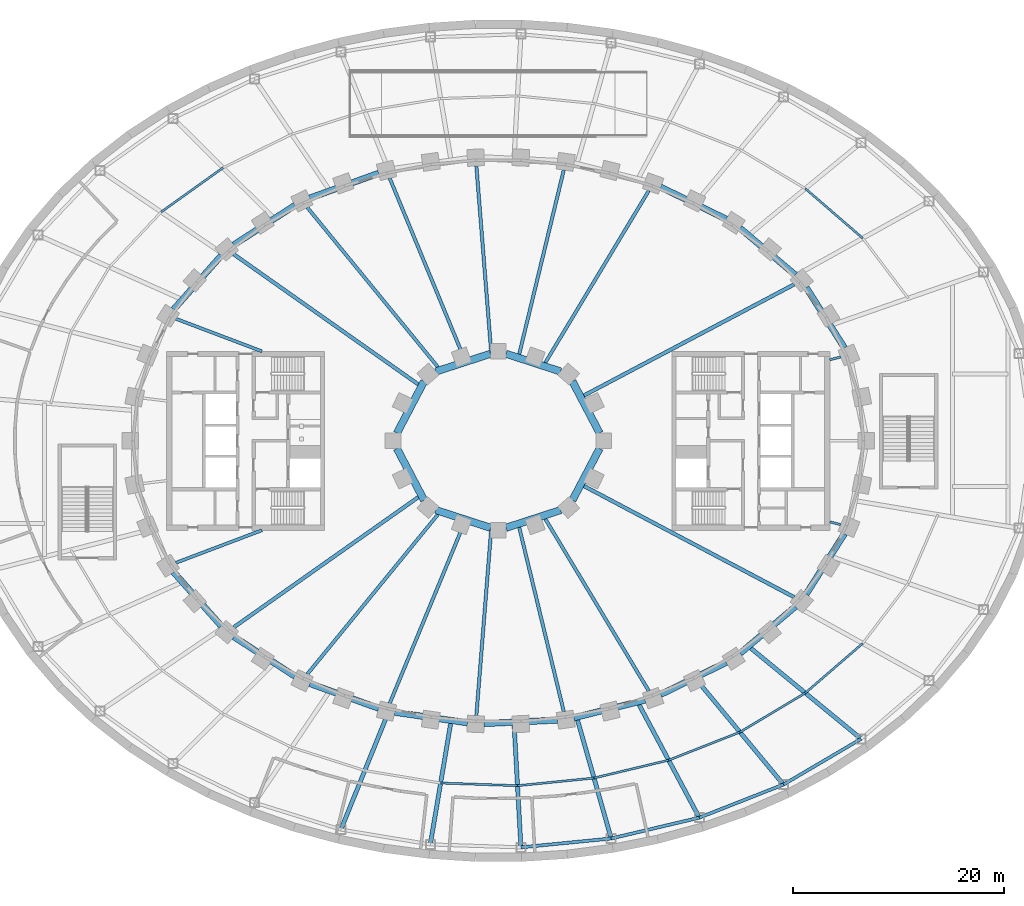
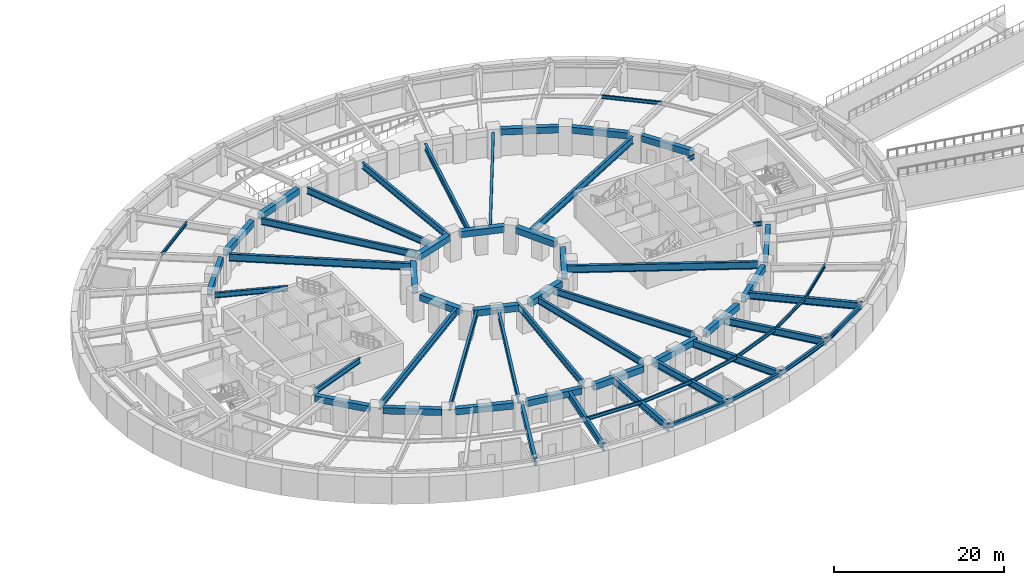
# One storey, part 8 of 32: 60 beams.
"""IFC4 building model written with IfcOpenShell, lengths in metres."""

from ifc_helpers import new_model, si_unit, direction, frame, origin, origin_2d, place, context, subcontext, project, spatial, rectangle, i_section, extrude, material, material_profile, profile_set, type_object, element, save


model = new_model("IFC4")

# Units and contexts
model_context = context("Model", 3, precision=1e-05, world=origin(), true_north=direction((0.0, 1.0)))
body_context = subcontext(model_context, "Body", "Model", "MODEL_VIEW")
ifc_project = project(units=[si_unit("LENGTHUNIT", "METRE"), si_unit("AREAUNIT", "SQUARE_METRE"), si_unit("VOLUMEUNIT", "CUBIC_METRE"), si_unit("PLANEANGLEUNIT", "RADIAN"), si_unit("MASSUNIT", "GRAM", prefix="KILO")], contexts=[model_context])

# Site, building, storey
site_placement = place(None, origin())
site = spatial("IfcSite", under=ifc_project, at=site_placement, CompositionType="ELEMENT")
building_placement = place(site_placement, origin())
building = spatial("IfcBuilding", under=site, at=building_placement, Name="Noorbagh Ring Tower", CompositionType="ELEMENT")
storey_placement = place(building_placement, frame((0.0, 0.0, -4.199951171875)))
storey = spatial("IfcBuildingStorey", under=building, at=storey_placement, Name="B1", CompositionType="ELEMENT", Elevation=-4.199951171875)

# Beams
ifc_material_1 = material(Name="Steel S355", Category="steel")
ifc_material_profile_1 = material_profile(ifc_material_1, i_section(OverallWidth=0.300048828125, OverallDepth=0.60009765625, WebThickness=0.015380859375, FlangeThickness=0.030029296875, FilletRadius=0.027099609375, at=origin_2d()), Name="HEB600")
ifc_profile_set_1 = profile_set([ifc_material_profile_1], Name="Steel S355")
beam_type_1 = type_object("IfcBeamType", Name="GND-EDGE-BEAM-HEB600", PredefinedType="BEAM", material=ifc_profile_set_1)
beam_1_placement = place(storey_placement, frame((2.154541015625, -38.6142578125, 3.550048828125), z_axis=(0.9951967317, 0.097895174616, 0.0), x_axis=(-0.097895174616, 0.9951967317, 0.0)))
element("IfcBeam", 1, at=beam_1_placement, inside=storey, type_object=beam_type_1, Name="B1/bm/ERP-26", PredefinedType="BEAM", context=body_context, shape_type="SweptSolid", body=[
    extrude(i_section(OverallWidth=0.300048828125, OverallDepth=0.60009765625, WebThickness=0.015380859375, FlangeThickness=0.030029296875, FilletRadius=0.027099609375, at=origin_2d()), origin(), (0.0, 0.0, 1.0), 8.611328125),
])
beam_2_placement = place(storey_placement, frame((10.724609375, -37.771240234375, 3.550048828125), z_axis=(0.973167977411, 0.230095822957, 0.0), x_axis=(-0.230095822957, 0.973167977411, 0.0)))
element("IfcBeam", 2, at=beam_2_placement, inside=storey, type_object=beam_type_1, Name="B1/bm/ERP-27", PredefinedType="BEAM", context=body_context, shape_type="SweptSolid", body=[
    extrude(i_section(OverallWidth=0.300048828125, OverallDepth=0.60009765625, WebThickness=0.015380859375, FlangeThickness=0.030029296875, FilletRadius=0.027099609375, at=origin_2d()), origin(), (0.0, 0.0, 1.0), 8.602783203125),
])
beam_3_placement = place(storey_placement, frame((19.0966796875, -35.791748046875, 3.550048828125), z_axis=(0.930571668723, 0.366109777758, 0.0), x_axis=(-0.366109777758, 0.930571668723, 0.0)))
element("IfcBeam", 3, at=beam_3_placement, inside=storey, type_object=beam_type_1, Name="B1/bm/ERP-28", PredefinedType="BEAM", context=body_context, shape_type="SweptSolid", body=[
    extrude(i_section(OverallWidth=0.300048828125, OverallDepth=0.60009765625, WebThickness=0.015380859375, FlangeThickness=0.030029296875, FilletRadius=0.027099609375, at=origin_2d()), origin(), (0.0, 0.0, 1.0), 8.58642578125),
])
beam_4_placement = place(storey_placement, frame((27.0869140625, -32.648193359375, 3.550048828125), z_axis=(0.8618652907, 0.507137279922, 0.0), x_axis=(-0.507137279922, 0.8618652907, 0.0)))
element("IfcBeam", 4, at=beam_4_placement, inside=storey, type_object=beam_type_1, Name="B1/bm/ERP-29", PredefinedType="BEAM", context=body_context, shape_type="SweptSolid", body=[
    extrude(i_section(OverallWidth=0.300048828125, OverallDepth=0.60009765625, WebThickness=0.015380859375, FlangeThickness=0.030029296875, FilletRadius=0.027099609375, at=origin_2d()), origin(), (0.0, 0.0, 1.0), 8.560302734375),
])
ifc_material_2 = material(Name="Steel S355", Category="steel")
ifc_material_profile_2 = material_profile(ifc_material_2, i_section(OverallWidth=0.39990234375, OverallDepth=1.0, WebThickness=0.01611328125, FlangeThickness=0.0400390625, at=origin_2d()), Name="PG1000x400x16x40")
ifc_profile_set_2 = profile_set([ifc_material_profile_2], Name="Steel S355")
beam_type_2 = type_object("IfcBeamType", Name="GND-GIRDER-PG1000x400x16x40", PredefinedType="BEAM", material=ifc_profile_set_2)
beam_5_placement = place(storey_placement, frame((-14.946044921875, -36.925048828125, 3.349853515625), z_axis=(0.375201842514, 0.926943135998, 0.0), x_axis=(-0.926943135998, 0.375201842514, 0.0)))
element("IfcBeam", 5, at=beam_5_placement, inside=storey, type_object=beam_type_2, Name="B1/bm/GRP-24", PredefinedType="BEAM", context=body_context, shape_type="SweptSolid", body=[
    extrude(i_section(OverallWidth=0.39990234375, OverallDepth=1.0, WebThickness=0.01611328125, FlangeThickness=0.0400390625, at=origin_2d()), origin(), (0.0, 0.0, 1.0), 12.094970703125),
])
beam_6_placement = place(storey_placement, frame((-6.4541015625, -38.33349609375, 3.349853515625), z_axis=(0.166032765637, 0.986120236449, 0.0), x_axis=(-0.986120236449, 0.166032765637, 0.0)))
element("IfcBeam", 6, at=beam_6_placement, inside=storey, type_object=beam_type_2, Name="B1/bm/GRP-25", PredefinedType="BEAM", context=body_context, shape_type="SweptSolid", body=[
    extrude(i_section(OverallWidth=0.39990234375, OverallDepth=1.0, WebThickness=0.01611328125, FlangeThickness=0.0400390625, at=origin_2d()), origin(), (0.0, 0.0, 1.0), 11.82373046875),
])
beam_7_placement = place(storey_placement, frame((2.154541015625, -38.6142578125, 3.349853515625), z_axis=(-0.055716608816, 0.998446623261, 0.0), x_axis=(-0.998446623261, -0.055716608816, 0.0)))
element("IfcBeam", 7, at=beam_7_placement, inside=storey, type_object=beam_type_2, Name="B1/bm/GRP-26", PredefinedType="BEAM", context=body_context, shape_type="SweptSolid", body=[
    extrude(i_section(OverallWidth=0.39990234375, OverallDepth=1.0, WebThickness=0.01611328125, FlangeThickness=0.0400390625, at=origin_2d()), origin(), (0.0, 0.0, 1.0), 11.734619140625),
])
beam_8_placement = place(storey_placement, frame((10.724609375, -37.771240234375, 3.349853515625), z_axis=(-0.273130016452, 0.961977127645, 0.0), x_axis=(-0.961977127645, -0.273130016452, 0.0)))
element("IfcBeam", 8, at=beam_8_placement, inside=storey, type_object=beam_type_2, Name="B1/bm/GRP-27", PredefinedType="BEAM", context=body_context, shape_type="SweptSolid", body=[
    extrude(i_section(OverallWidth=0.39990234375, OverallDepth=1.0, WebThickness=0.01611328125, FlangeThickness=0.0400390625, at=origin_2d()), origin(), (0.0, 0.0, 1.0), 11.939208984375),
])
beam_9_placement = place(storey_placement, frame((19.0966796875, -35.791748046875, 3.349853515625), z_axis=(-0.470746944877, 0.88226827773, 0.0), x_axis=(-0.88226827773, -0.470746944877, 0.0)))
element("IfcBeam", 9, at=beam_9_placement, inside=storey, type_object=beam_type_2, Name="B1/bm/GRP-28", PredefinedType="BEAM", context=body_context, shape_type="SweptSolid", body=[
    extrude(i_section(OverallWidth=0.39990234375, OverallDepth=1.0, WebThickness=0.01611328125, FlangeThickness=0.0400390625, at=origin_2d()), origin(), (0.0, 0.0, 1.0), 12.375),
])
beam_10_placement = place(storey_placement, frame((27.0869140625, -32.648193359375, 3.349853515625), z_axis=(-0.638516852805, 0.769607840841, 0.0), x_axis=(-0.769607840841, -0.638516852805, 0.0)))
element("IfcBeam", 10, at=beam_10_placement, inside=storey, type_object=beam_type_2, Name="B1/bm/GRP-29", PredefinedType="BEAM", context=body_context, shape_type="SweptSolid", body=[
    extrude(i_section(OverallWidth=0.39990234375, OverallDepth=1.0, WebThickness=0.01611328125, FlangeThickness=0.0400390625, at=origin_2d()), origin(), (0.0, 0.0, 1.0), 12.943603515625),
])
beam_11_placement = place(storey_placement, frame((34.46484375, -28.306884765625, 3.349853515625), z_axis=(-0.772763025599, 0.63469465593, 0.0), x_axis=(-0.63469465593, -0.772763025599, 0.0)))
element("IfcBeam", 11, at=beam_11_placement, inside=storey, type_object=beam_type_2, Name="B1/bm/GRP-30", PredefinedType="BEAM", context=body_context, shape_type="SweptSolid", body=[
    extrude(i_section(OverallWidth=0.39990234375, OverallDepth=1.0, WebThickness=0.01611328125, FlangeThickness=0.0400390625, at=origin_2d()), origin(), (0.0, 0.0, 1.0), 13.723388671875),
])
ifc_material_3 = material(Name="Steel S355", Category="steel")
ifc_material_profile_3 = material_profile(ifc_material_3, i_section(OverallWidth=0.199951171875, OverallDepth=0.5, WebThickness=0.01025390625, FlangeThickness=0.01611328125, FilletRadius=0.02099609375, at=origin_2d()), Name="IPE500")
ifc_profile_set_3 = profile_set([ifc_material_profile_3], Name="Steel S355")
beam_type_3 = type_object("IfcBeamType", Name="GND-MID-BEAM-IPE500", PredefinedType="JOIST", material=ifc_profile_set_3)
beam_12_placement = place(storey_placement, frame((34.615234375, 19.240966796875, 3.599853515625), z_axis=(-0.756711012056, 0.653749527138, 0.0), x_axis=(-0.653749527138, -0.756711012056, 0.0)))
element("IfcBeam", 12, at=beam_12_placement, inside=storey, type_object=beam_type_3, Name="B1/bm/MRP-04", PredefinedType="JOIST", context=body_context, shape_type="SweptSolid", body=[
    extrude(i_section(OverallWidth=0.199951171875, OverallDepth=0.5, WebThickness=0.01025390625, FlangeThickness=0.01611328125, FilletRadius=0.02099609375, at=origin_2d()), origin(), (0.0, 0.0, 1.0), 7.2060546875),
])
beam_13_placement = place(storey_placement, frame((-26.13671875, 25.933349609375, 3.599853515625), z_axis=(-0.813381743113, -0.581730298308, 0.0), x_axis=(0.581730298308, -0.813381743113, 0.0)))
element("IfcBeam", 13, at=beam_13_placement, inside=storey, type_object=beam_type_3, Name="B1/bm/MRP-13", PredefinedType="JOIST", context=body_context, shape_type="SweptSolid", body=[
    extrude(i_section(OverallWidth=0.199951171875, OverallDepth=0.5, WebThickness=0.01025390625, FlangeThickness=0.01611328125, FilletRadius=0.02099609375, at=origin_2d()), origin(), (0.0, 0.0, 1.0), 7.2255859375),
])
beam_14_placement = place(storey_placement, frame((-5.472412109375, -32.503662109375, 3.599853515625), z_axis=(0.999402620435, -0.034560125398, 0.0), x_axis=(0.034560125398, 0.999402620435, 0.0)))
element("IfcBeam", 14, at=beam_14_placement, inside=storey, type_object=beam_type_3, Name="B1/bm/MRP-25", PredefinedType="JOIST", context=body_context, shape_type="SweptSolid", body=[
    extrude(i_section(OverallWidth=0.199951171875, OverallDepth=0.5, WebThickness=0.01025390625, FlangeThickness=0.01611328125, FilletRadius=0.02099609375, at=origin_2d()), origin(), (0.0, 0.0, 1.0), 7.304443359375),
])
beam_15_placement = place(storey_placement, frame((1.82763671875, -32.756103515625, 3.599853515625), z_axis=(0.99502493545, 0.099626190493, 0.0), x_axis=(-0.099626190493, 0.99502493545, 0.0)))
element("IfcBeam", 15, at=beam_15_placement, inside=storey, type_object=beam_type_3, Name="B1/bm/MRP-26", PredefinedType="JOIST", context=body_context, shape_type="SweptSolid", body=[
    extrude(i_section(OverallWidth=0.199951171875, OverallDepth=0.5, WebThickness=0.01025390625, FlangeThickness=0.01611328125, FilletRadius=0.02099609375, at=origin_2d()), origin(), (0.0, 0.0, 1.0), 7.302734375),
])
beam_16_placement = place(storey_placement, frame((9.093994140625, -32.028564453125, 3.599853515625), z_axis=(0.972568186564, 0.23261797541, 0.0), x_axis=(-0.23261797541, 0.972568186564, 0.0)))
element("IfcBeam", 16, at=beam_16_placement, inside=storey, type_object=beam_type_3, Name="B1/bm/MRP-27", PredefinedType="JOIST", context=body_context, shape_type="SweptSolid", body=[
    extrude(i_section(OverallWidth=0.199951171875, OverallDepth=0.5, WebThickness=0.01025390625, FlangeThickness=0.01611328125, FilletRadius=0.02099609375, at=origin_2d()), origin(), (0.0, 0.0, 1.0), 7.2900390625),
])
beam_17_placement = place(storey_placement, frame((16.18408203125, -30.332763671875, 3.599853515625), z_axis=(0.930496782909, 0.36630006415, 0.0), x_axis=(-0.36630006415, 0.930496782909, 0.0)))
element("IfcBeam", 17, at=beam_17_placement, inside=storey, type_object=beam_type_3, Name="B1/bm/MRP-28", PredefinedType="JOIST", context=body_context, shape_type="SweptSolid", body=[
    extrude(i_section(OverallWidth=0.199951171875, OverallDepth=0.5, WebThickness=0.01025390625, FlangeThickness=0.01611328125, FilletRadius=0.02099609375, at=origin_2d()), origin(), (0.0, 0.0, 1.0), 7.276123046875),
])
beam_18_placement = place(storey_placement, frame((22.95458984375, -27.66748046875, 3.599853515625), z_axis=(0.858046251749, 0.513572419293, 0.0), x_axis=(-0.513572419293, 0.858046251749, 0.0)))
element("IfcBeam", 18, at=beam_18_placement, inside=storey, type_object=beam_type_3, Name="B1/bm/MRP-29", PredefinedType="JOIST", context=body_context, shape_type="SweptSolid", body=[
    extrude(i_section(OverallWidth=0.199951171875, OverallDepth=0.5, WebThickness=0.01025390625, FlangeThickness=0.01611328125, FilletRadius=0.02099609375, at=origin_2d()), origin(), (0.0, 0.0, 1.0), 7.23486328125),
])
beam_19_placement = place(storey_placement, frame((29.162353515625, -23.951904296875, 3.599853515625), z_axis=(0.756711012056, 0.653749527138, 0.0), x_axis=(-0.653749527138, 0.756711012056, 0.0)))
element("IfcBeam", 19, at=beam_19_placement, inside=storey, type_object=beam_type_3, Name="B1/bm/MRP-30", PredefinedType="JOIST", context=body_context, shape_type="SweptSolid", body=[
    extrude(i_section(OverallWidth=0.199951171875, OverallDepth=0.5, WebThickness=0.01025390625, FlangeThickness=0.01611328125, FilletRadius=0.02099609375, at=origin_2d()), origin(), (0.0, 0.0, 1.0), 7.2060546875),
])
ifc_material_4 = material(Name="Steel S355", Category="steel")
ifc_material_profile_4 = material_profile(ifc_material_4, i_section(OverallWidth=0.219970703125, OverallDepth=0.60009765625, WebThickness=0.011962890625, FlangeThickness=0.01904296875, FilletRadius=0.02392578125, at=origin_2d()), Name="IPE600")
ifc_profile_set_4 = profile_set([ifc_material_profile_4], Name="Steel S355")
beam_type_4 = type_object("IfcBeamType", Name="STR-RAD-IPE600", PredefinedType="BEAM", material=ifc_profile_set_4)
for number, where, z_axis, x_axis, name in (
    (20, (32.538818359375, 7.9619140625, 3.550048828125), (-0.971330054052, -0.237734991315, 0.0), (0.237734991315, -0.971330054052, 0.0), "B1/bm/RD03"),
    (21, (32.538818359375, -7.9619140625, 3.550048828125), (-0.971330054052, 0.237734991315, 0.0), (-0.237734991315, -0.971330054052, 0.0), "B1/bm/RD45"),
):
    element("IfcBeam", number, at=place(storey_placement, frame(where, z_axis=z_axis, x_axis=x_axis)), inside=storey, type_object=beam_type_4, Name=name, PredefinedType="BEAM", context=body_context, shape_type="SweptSolid", body=[
        extrude(i_section(OverallWidth=0.219970703125, OverallDepth=0.60009765625, WebThickness=0.011962890625, FlangeThickness=0.01904296875, FilletRadius=0.02392578125, at=origin_2d()), origin(), (0.0, 0.0, 1.0), 1.089599609375),
    ])
ifc_material_5 = material(Name="Steel S355", Category="steel")
ifc_material_profile_5 = material_profile(ifc_material_5, i_section(OverallWidth=0.35009765625, OverallDepth=1.050048828125, WebThickness=0.01806640625, FlangeThickness=0.033935546875, at=origin_2d()), Name="PG1050x350x18x34")
ifc_profile_set_5 = profile_set([ifc_material_profile_5], Name="Steel S355")
beam_type_5 = type_object("IfcBeamType", Name="STR-RAD-PG1050x350x18x34", PredefinedType="BEAM", material=ifc_profile_set_5)
beam_20_placement = place(storey_placement, frame((28.108642578125, 14.855224609375, 3.324951171875), z_axis=(-0.884121906441, -0.467256304988, 0.0), x_axis=(0.467256304988, -0.884121906441, 0.0)))
element("IfcBeam", 22, at=beam_20_placement, inside=storey, type_object=beam_type_5, Name="B1/bm/RD05", PredefinedType="BEAM", context=body_context, shape_type="SweptSolid", body=[
    extrude(i_section(OverallWidth=0.35009765625, OverallDepth=1.050048828125, WebThickness=0.01806640625, FlangeThickness=0.033935546875, at=origin_2d()), origin(), (0.0, 0.0, 1.0), 22.601806640625),
])
for number, where, z_axis, x_axis, name in (
    (23, (-25.12353515625, 17.715576171875, 3.324951171875), (0.817253259362, -0.576278673961, 0.0), (0.576278673961, 0.817253259362, 0.0), "B1/bm/RD19"),
    (24, (-25.12353515625, -17.715576171875, 3.324951171875), (0.817253259362, 0.576278673961, 0.0), (-0.576278673961, 0.817253259362, 0.0), "B1/bm/RD29"),
):
    element("IfcBeam", number, at=place(storey_placement, frame(where, z_axis=z_axis, x_axis=x_axis)), inside=storey, type_object=beam_type_5, Name=name, PredefinedType="BEAM", context=body_context, shape_type="SweptSolid", body=[
        extrude(i_section(OverallWidth=0.35009765625, OverallDepth=1.050048828125, WebThickness=0.01806640625, FlangeThickness=0.033935546875, at=origin_2d()), origin(), (0.0, 0.0, 1.0), 21.471435546875),
    ])
beam_21_placement = place(storey_placement, frame((28.108642578125, -14.855224609375, 3.324951171875), z_axis=(-0.884121906441, 0.467256304988, 0.0), x_axis=(-0.467256304988, -0.884121906441, 0.0)))
element("IfcBeam", 25, at=beam_21_placement, inside=storey, type_object=beam_type_5, Name="B1/bm/RD43", PredefinedType="BEAM", context=body_context, shape_type="SweptSolid", body=[
    extrude(i_section(OverallWidth=0.35009765625, OverallDepth=1.050048828125, WebThickness=0.01806640625, FlangeThickness=0.033935546875, at=origin_2d()), origin(), (0.0, 0.0, 1.0), 22.601806640625),
])
ifc_material_6 = material(Name="Steel S355", Category="steel")
ifc_material_profile_6 = material_profile(ifc_material_6, i_section(OverallWidth=0.300048828125, OverallDepth=0.75, WebThickness=0.013916015625, FlangeThickness=0.02587890625, at=origin_2d()), Name="PG750x300x14x26")
ifc_profile_set_6 = profile_set([ifc_material_profile_6], Name="Steel S355")
beam_type_6 = type_object("IfcBeamType", Name="STR-RAD-PG750x300x14x26", PredefinedType="BEAM", material=ifc_profile_set_6)
for number, where, z_axis, x_axis, name in (
    (26, (-30.619873046875, 11.5888671875, 3.474853515625), (0.935258038122, -0.353966668102, 0.0), (0.353966668102, 0.935258038122, 0.0), "B1/bm/RD21"),
    (27, (-30.619873046875, -11.5888671875, 3.474853515625), (0.935258038122, 0.353966668102, 0.0), (-0.353966668102, 0.935258038122, 0.0), "B1/bm/RD27"),
):
    element("IfcBeam", number, at=place(storey_placement, frame(where, z_axis=z_axis, x_axis=x_axis)), inside=storey, type_object=beam_type_6, Name=name, PredefinedType="BEAM", context=body_context, shape_type="SweptSolid", body=[
        extrude(i_section(OverallWidth=0.300048828125, OverallDepth=0.75, WebThickness=0.013916015625, FlangeThickness=0.02587890625, at=origin_2d()), origin(), (0.0, 0.0, 1.0), 8.746337890625),
    ])
ifc_material_7 = material(Name="Steel S355", Category="steel")
ifc_material_profile_7 = material_profile(ifc_material_7, i_section(OverallWidth=0.320068359375, OverallDepth=0.949951171875, WebThickness=0.01611328125, FlangeThickness=0.030029296875, at=origin_2d()), Name="PG950x320x16x30")
ifc_profile_set_7 = profile_set([ifc_material_profile_7], Name="Steel S355")
beam_type_7 = type_object("IfcBeamType", Name="STR-RAD-PG950x320x16x30", PredefinedType="BEAM", material=ifc_profile_set_7)
beam_22_placement = place(storey_placement, frame((14.29931640625, 23.759033203125, 3.375), z_axis=(-0.515655762899, -0.856795853275, 0.0), x_axis=(0.856795853275, -0.515655762899, 0.0)))
element("IfcBeam", 28, at=beam_22_placement, inside=storey, type_object=beam_type_7, Name="B1/bm/RD09", PredefinedType="BEAM", context=body_context, shape_type="SweptSolid", body=[
    extrude(i_section(OverallWidth=0.320068359375, OverallDepth=0.949951171875, WebThickness=0.01611328125, FlangeThickness=0.030029296875, at=origin_2d()), origin(), (0.0, 0.0, 1.0), 19.0888671875),
])
beam_23_placement = place(storey_placement, frame((6.22509765625, 25.729248046875, 3.375), z_axis=(-0.235155855534, -0.971957675832, 0.0), x_axis=(0.971957675832, -0.235155855534, 0.0)))
element("IfcBeam", 29, at=beam_23_placement, inside=storey, type_object=beam_type_7, Name="B1/bm/RD11", PredefinedType="BEAM", context=body_context, shape_type="SweptSolid", body=[
    extrude(i_section(OverallWidth=0.320068359375, OverallDepth=0.949951171875, WebThickness=0.01611328125, FlangeThickness=0.030029296875, at=origin_2d()), origin(), (0.0, 0.0, 1.0), 18.029541015625),
])
beam_24_placement = place(storey_placement, frame((-2.081298828125, 26.1201171875, 3.375), z_axis=(0.079425808882, -0.996840780107, 0.0), x_axis=(0.996840780107, 0.079425808882, 0.0)))
element("IfcBeam", 30, at=beam_24_placement, inside=storey, type_object=beam_type_7, Name="B1/bm/RD13", PredefinedType="BEAM", context=body_context, shape_type="SweptSolid", body=[
    extrude(i_section(OverallWidth=0.320068359375, OverallDepth=0.949951171875, WebThickness=0.01611328125, FlangeThickness=0.030029296875, at=origin_2d()), origin(), (0.0, 0.0, 1.0), 18.227783203125),
])
beam_25_placement = place(storey_placement, frame((-10.311767578125, 24.9443359375, 3.375), z_axis=(0.382034392842, -0.924148106467, 0.0), x_axis=(0.924148106467, 0.382034392842, 0.0)))
element("IfcBeam", 31, at=beam_25_placement, inside=storey, type_object=beam_type_7, Name="B1/bm/RD15", PredefinedType="BEAM", context=body_context, shape_type="SweptSolid", body=[
    extrude(i_section(OverallWidth=0.320068359375, OverallDepth=0.949951171875, WebThickness=0.01611328125, FlangeThickness=0.030029296875, at=origin_2d()), origin(), (0.0, 0.0, 1.0), 18.548583984375),
])
for number, where, z_axis, x_axis, name in (
    (32, (-18.138427734375, 22.164794921875, 3.375), (0.633308995725, -0.773899034715, 0.0), (0.773899034715, 0.633308995725, 0.0), "B1/bm/RD17"),
    (33, (-18.138427734375, -22.164794921875, 3.375), (0.633308995725, 0.773899034715, 0.0), (-0.773899034715, 0.633308995725, 0.0), "B1/bm/RD31"),
):
    element("IfcBeam", number, at=place(storey_placement, frame(where, z_axis=z_axis, x_axis=x_axis)), inside=storey, type_object=beam_type_7, Name=name, PredefinedType="BEAM", context=body_context, shape_type="SweptSolid", body=[
        extrude(i_section(OverallWidth=0.320068359375, OverallDepth=0.949951171875, WebThickness=0.01611328125, FlangeThickness=0.030029296875, at=origin_2d()), origin(), (0.0, 0.0, 1.0), 19.603759765625),
    ])
beam_26_placement = place(storey_placement, frame((-10.311767578125, -24.9443359375, 3.375), z_axis=(0.382034392842, 0.924148106467, 0.0), x_axis=(-0.924148106467, 0.382034392842, 0.0)))
element("IfcBeam", 34, at=beam_26_placement, inside=storey, type_object=beam_type_7, Name="B1/bm/RD33", PredefinedType="BEAM", context=body_context, shape_type="SweptSolid", body=[
    extrude(i_section(OverallWidth=0.320068359375, OverallDepth=0.949951171875, WebThickness=0.01611328125, FlangeThickness=0.030029296875, at=origin_2d()), origin(), (0.0, 0.0, 1.0), 18.548583984375),
])
beam_27_placement = place(storey_placement, frame((-2.081298828125, -26.1201171875, 3.375), z_axis=(0.079425808882, 0.996840780107, 0.0), x_axis=(-0.996840780107, 0.079425808882, 0.0)))
element("IfcBeam", 35, at=beam_27_placement, inside=storey, type_object=beam_type_7, Name="B1/bm/RD35", PredefinedType="BEAM", context=body_context, shape_type="SweptSolid", body=[
    extrude(i_section(OverallWidth=0.320068359375, OverallDepth=0.949951171875, WebThickness=0.01611328125, FlangeThickness=0.030029296875, at=origin_2d()), origin(), (0.0, 0.0, 1.0), 18.227783203125),
])
beam_28_placement = place(storey_placement, frame((6.22509765625, -25.729248046875, 3.375), z_axis=(-0.235155855534, 0.971957675832, 0.0), x_axis=(-0.971957675832, -0.235155855534, 0.0)))
element("IfcBeam", 36, at=beam_28_placement, inside=storey, type_object=beam_type_7, Name="B1/bm/RD37", PredefinedType="BEAM", context=body_context, shape_type="SweptSolid", body=[
    extrude(i_section(OverallWidth=0.320068359375, OverallDepth=0.949951171875, WebThickness=0.01611328125, FlangeThickness=0.030029296875, at=origin_2d()), origin(), (0.0, 0.0, 1.0), 18.029541015625),
])
beam_29_placement = place(storey_placement, frame((14.29931640625, -23.759033203125, 3.375), z_axis=(-0.515655762899, 0.856795853275, 0.0), x_axis=(-0.856795853275, -0.515655762899, 0.0)))
element("IfcBeam", 37, at=beam_29_placement, inside=storey, type_object=beam_type_7, Name="B1/bm/RD39", PredefinedType="BEAM", context=body_context, shape_type="SweptSolid", body=[
    extrude(i_section(OverallWidth=0.320068359375, OverallDepth=0.949951171875, WebThickness=0.01611328125, FlangeThickness=0.030029296875, at=origin_2d()), origin(), (0.0, 0.0, 1.0), 19.0888671875),
])
ifc_material_8 = material(Name="Concrete C40/50", Category="concrete")
ifc_material_profile_8 = material_profile(ifc_material_8, rectangle(XDim=0.699951171875, YDim=0.89990234375, at=origin_2d()), Name="RC700x900")
ifc_profile_set_8 = profile_set([ifc_material_profile_8], Name="Concrete C40/50")
beam_type_8 = type_object("IfcBeamType", Name="STR-RB-RC700x900-C40-50", PredefinedType="BEAM", material=ifc_profile_set_8)
beam_30_placement = place(storey_placement, frame((9.623779296875, 0.732177734375, 3.39990234375), z_axis=(-0.464916752751, 0.885354399668, 0.0), x_axis=(-0.885354399668, -0.464916752751, 0.0)))
element("IfcBeam", 38, at=beam_30_placement, inside=storey, type_object=beam_type_8, Name="B1/bm/RG01", PredefinedType="BEAM", context=body_context, shape_type="SweptSolid", body=[
    extrude(rectangle(XDim=0.699951171875, YDim=0.89990234375, at=origin_2d()), origin(), (0.0, 0.0, 1.0), 5.543701171875),
])
for number, where, z_axis, x_axis, name in (
    (39, (5.92431640625, 6.579833984375, 3.39990234375), (-0.951144414124, 0.308746341648, 0.0), (-0.308746341648, -0.951144414124, 0.0), "B1/bm/RG03"),
    (40, (-0.73095703125, 8.265625, 3.39990234375), (-0.951144414124, -0.308746341648, 0.0), (0.308746341648, -0.951144414124, 0.0), "B1/bm/RG05"),
):
    element("IfcBeam", number, at=place(storey_placement, frame(where, z_axis=z_axis, x_axis=x_axis)), inside=storey, type_object=beam_type_8, Name=name, PredefinedType="BEAM", context=body_context, shape_type="SweptSolid", body=[
        extrude(rectangle(XDim=0.699951171875, YDim=0.89990234375, at=origin_2d()), origin(), (0.0, 0.0, 1.0), 5.460205078125),
    ])
for number, where, z_axis, x_axis, name in (
    (41, (-7.04638671875, 5.640380859375, 3.39990234375), (-0.464916752751, -0.885354399668, 0.0), (0.885354399668, -0.464916752751, 0.0), "B1/bm/RG07"),
    (42, (-9.623779296875, -0.732177734375, 3.39990234375), (0.464916752751, -0.885354399668, 0.0), (0.885354399668, 0.464916752751, 0.0), "B1/bm/RG09"),
):
    element("IfcBeam", number, at=place(storey_placement, frame(where, z_axis=z_axis, x_axis=x_axis)), inside=storey, type_object=beam_type_8, Name=name, PredefinedType="BEAM", context=body_context, shape_type="SweptSolid", body=[
        extrude(rectangle(XDim=0.699951171875, YDim=0.89990234375, at=origin_2d()), origin(), (0.0, 0.0, 1.0), 5.543701171875),
    ])
for number, where, z_axis, x_axis, name in (
    (43, (-5.92431640625, -6.579833984375, 3.39990234375), (0.951144414124, -0.308746341648, 0.0), (0.308746341648, 0.951144414124, 0.0), "B1/bm/RG11"),
    (44, (0.73095703125, -8.265625, 3.39990234375), (0.951144414124, 0.308746341648, 0.0), (-0.308746341648, 0.951144414124, 0.0), "B1/bm/RG13"),
):
    element("IfcBeam", number, at=place(storey_placement, frame(where, z_axis=z_axis, x_axis=x_axis)), inside=storey, type_object=beam_type_8, Name=name, PredefinedType="BEAM", context=body_context, shape_type="SweptSolid", body=[
        extrude(rectangle(XDim=0.699951171875, YDim=0.89990234375, at=origin_2d()), origin(), (0.0, 0.0, 1.0), 5.460205078125),
    ])
beam_31_placement = place(storey_placement, frame((7.04638671875, -5.640380859375, 3.39990234375), z_axis=(0.464916752751, 0.885354399668, 0.0), x_axis=(-0.885354399668, 0.464916752751, 0.0)))
element("IfcBeam", 45, at=beam_31_placement, inside=storey, type_object=beam_type_8, Name="B1/bm/RG15", PredefinedType="BEAM", context=body_context, shape_type="SweptSolid", body=[
    extrude(rectangle(XDim=0.699951171875, YDim=0.89990234375, at=origin_2d()), origin(), (0.0, 0.0, 1.0), 5.543701171875),
])
ifc_material_9 = material(Name="Concrete C40/50", Category="concrete")
ifc_material_profile_9 = material_profile(ifc_material_9, rectangle(XDim=0.60009765625, YDim=0.89990234375, at=origin_2d()), Name="RC600x900")
ifc_profile_set_9 = profile_set([ifc_material_profile_9], Name="Concrete C40/50")
beam_type_9 = type_object("IfcBeamType", Name="STR-SB-RC600x900-C40-50", PredefinedType="BEAM", material=ifc_profile_set_9)
beam_32_placement = place(storey_placement, frame((32.881103515625, 8.81884765625, 3.39990234375), z_axis=(-0.535204111644, 0.844722770428, 0.0), x_axis=(-0.844722770428, -0.535204111644, 0.0)))
element("IfcBeam", 46, at=beam_32_placement, inside=storey, type_object=beam_type_9, Name="B1/bm/SP03", PredefinedType="BEAM", context=body_context, shape_type="SweptSolid", body=[
    extrude(rectangle(XDim=0.60009765625, YDim=0.89990234375, at=origin_2d()), origin(), (0.0, 0.0, 1.0), 6.800048828125),
])
beam_33_placement = place(storey_placement, frame((28.21728515625, 15.739990234375, 3.39990234375), z_axis=(-0.763029833708, 0.646363266957, 0.0), x_axis=(-0.646363266957, -0.763029833708, 0.0)))
element("IfcBeam", 47, at=beam_33_placement, inside=storey, type_object=beam_type_9, Name="B1/bm/SP05", PredefinedType="BEAM", context=body_context, shape_type="SweptSolid", body=[
    extrude(rectangle(XDim=0.60009765625, YDim=0.89990234375, at=origin_2d()), origin(), (0.0, 0.0, 1.0), 6.886962890625),
])
beam_34_placement = place(storey_placement, frame((21.65625, 21.044921875, 3.39990234375), z_axis=(-0.898397301801, 0.439183661031, 0.0), x_axis=(-0.439183661031, -0.898397301801, 0.0)))
element("IfcBeam", 48, at=beam_34_placement, inside=storey, type_object=beam_type_9, Name="B1/bm/SP07", PredefinedType="BEAM", context=body_context, shape_type="SweptSolid", body=[
    extrude(rectangle(XDim=0.60009765625, YDim=0.89990234375, at=origin_2d()), origin(), (0.0, 0.0, 1.0), 6.947509765625),
])
beam_35_placement = place(storey_placement, frame((-11.351318359375, 25.408203125, 3.39990234375), z_axis=(-0.941030272182, -0.338322371175, 0.0), x_axis=(0.338322371175, -0.941030272182, 0.0)))
element("IfcBeam", 49, at=beam_35_placement, inside=storey, type_object=beam_type_9, Name="B1/bm/SP15", PredefinedType="BEAM", context=body_context, shape_type="SweptSolid", body=[
    extrude(rectangle(XDim=0.60009765625, YDim=0.89990234375, at=origin_2d()), origin(), (0.0, 0.0, 1.0), 6.96728515625),
])
beam_36_placement = place(storey_placement, frame((-19.306396484375, 22.359375, 3.39990234375), z_axis=(-0.840249989986, -0.542199183261, 0.0), x_axis=(0.542199183261, -0.840249989986, 0.0)))
element("IfcBeam", 50, at=beam_36_placement, inside=storey, type_object=beam_type_9, Name="B1/bm/SP17", PredefinedType="BEAM", context=body_context, shape_type="SweptSolid", body=[
    extrude(rectangle(XDim=0.60009765625, YDim=0.89990234375, at=origin_2d()), origin(), (0.0, 0.0, 1.0), 6.9208984375),
])
for number, where, z_axis, x_axis, name in (
    (51, (-26.30517578125, 17.58984375, 3.39990234375), (-0.662635440904, -0.748942102206, 0.0), (0.748942102206, -0.662635440904, 0.0), "B1/bm/SP19"),
    (52, (-30.84130859375, -12.462890625, 3.39990234375), (0.662635440904, -0.748942102206, 0.0), (0.748942102206, 0.662635440904, 0.0), "B1/bm/SP27"),
):
    element("IfcBeam", number, at=place(storey_placement, frame(where, z_axis=z_axis, x_axis=x_axis)), inside=storey, type_object=beam_type_9, Name=name, PredefinedType="BEAM", context=body_context, shape_type="SweptSolid", body=[
        extrude(rectangle(XDim=0.60009765625, YDim=0.89990234375, at=origin_2d()), origin(), (0.0, 0.0, 1.0), 6.845703125),
    ])
beam_37_placement = place(storey_placement, frame((-25.12158203125, -18.60693359375, 3.39990234375), z_axis=(0.840249989986, -0.542199183261, 0.0), x_axis=(0.542199183261, 0.840249989986, 0.0)))
element("IfcBeam", 53, at=beam_37_placement, inside=storey, type_object=beam_type_9, Name="B1/bm/SP29", PredefinedType="BEAM", context=body_context, shape_type="SweptSolid", body=[
    extrude(rectangle(XDim=0.60009765625, YDim=0.89990234375, at=origin_2d()), origin(), (0.0, 0.0, 1.0), 6.9208984375),
])
beam_38_placement = place(storey_placement, frame((-17.90771484375, -23.051025390625, 3.39990234375), z_axis=(0.941030272182, -0.338322371175, 0.0), x_axis=(0.338322371175, 0.941030272182, 0.0)))
element("IfcBeam", 54, at=beam_38_placement, inside=storey, type_object=beam_type_9, Name="B1/bm/SP31", PredefinedType="BEAM", context=body_context, shape_type="SweptSolid", body=[
    extrude(rectangle(XDim=0.60009765625, YDim=0.89990234375, at=origin_2d()), origin(), (0.0, 0.0, 1.0), 6.96728515625),
])
beam_39_placement = place(storey_placement, frame((-9.83740234375, -25.785888671875, 3.39990234375), z_axis=(0.989714845194, -0.143054273623, 0.0), x_axis=(0.143054273623, 0.989714845194, 0.0)))
element("IfcBeam", 55, at=beam_39_placement, inside=storey, type_object=beam_type_9, Name="B1/bm/SP33", PredefinedType="BEAM", context=body_context, shape_type="SweptSolid", body=[
    extrude(rectangle(XDim=0.60009765625, YDim=0.89990234375, at=origin_2d()), origin(), (0.0, 0.0, 1.0), 6.990234375),
])
beam_40_placement = place(storey_placement, frame((-1.3603515625, -26.86083984375, 3.39990234375), z_axis=(0.998867742854, 0.047573440964, 0.0), x_axis=(-0.047573440964, 0.998867742854, 0.0)))
element("IfcBeam", 56, at=beam_40_placement, inside=storey, type_object=beam_type_9, Name="B1/bm/SP35", PredefinedType="BEAM", context=body_context, shape_type="SweptSolid", body=[
    extrude(rectangle(XDim=0.60009765625, YDim=0.89990234375, at=origin_2d()), origin(), (0.0, 0.0, 1.0), 6.99462890625),
])
beam_41_placement = place(storey_placement, frame((7.170166015625, -26.302978515625, 3.39990234375), z_axis=(0.970827667704, 0.239778313491, 0.0), x_axis=(-0.239778313491, 0.970827667704, 0.0)))
element("IfcBeam", 57, at=beam_41_placement, inside=storey, type_object=beam_type_9, Name="B1/bm/SP37", PredefinedType="BEAM", context=body_context, shape_type="SweptSolid", body=[
    extrude(rectangle(XDim=0.60009765625, YDim=0.89990234375, at=origin_2d()), origin(), (0.0, 0.0, 1.0), 6.981689453125),
])
beam_42_placement = place(storey_placement, frame((15.41455078125, -24.09619140625, 3.39990234375), z_axis=(0.898397301801, 0.439183661031, 0.0), x_axis=(-0.439183661031, 0.898397301801, 0.0)))
element("IfcBeam", 58, at=beam_42_placement, inside=storey, type_object=beam_type_9, Name="B1/bm/SP39", PredefinedType="BEAM", context=body_context, shape_type="SweptSolid", body=[
    extrude(rectangle(XDim=0.60009765625, YDim=0.89990234375, at=origin_2d()), origin(), (0.0, 0.0, 1.0), 6.947509765625),
])
beam_43_placement = place(storey_placement, frame((22.96240234375, -20.19140625, 3.39990234375), z_axis=(0.763029833708, 0.646363266957, 0.0), x_axis=(-0.646363266957, 0.763029833708, 0.0)))
element("IfcBeam", 59, at=beam_43_placement, inside=storey, type_object=beam_type_9, Name="B1/bm/SP41", PredefinedType="BEAM", context=body_context, shape_type="SweptSolid", body=[
    extrude(rectangle(XDim=0.60009765625, YDim=0.89990234375, at=origin_2d()), origin(), (0.0, 0.0, 1.0), 6.886962890625),
])
beam_44_placement = place(storey_placement, frame((29.24169921875, -14.56298828125, 3.39990234375), z_axis=(0.535204111644, 0.844722770428, 0.0), x_axis=(-0.844722770428, 0.535204111644, 0.0)))
element("IfcBeam", 60, at=beam_44_placement, inside=storey, type_object=beam_type_9, Name="B1/bm/SP43", PredefinedType="BEAM", context=body_context, shape_type="SweptSolid", body=[
    extrude(rectangle(XDim=0.60009765625, YDim=0.89990234375, at=origin_2d()), origin(), (0.0, 0.0, 1.0), 6.800048828125),
])

save(model, "model.ifc")
